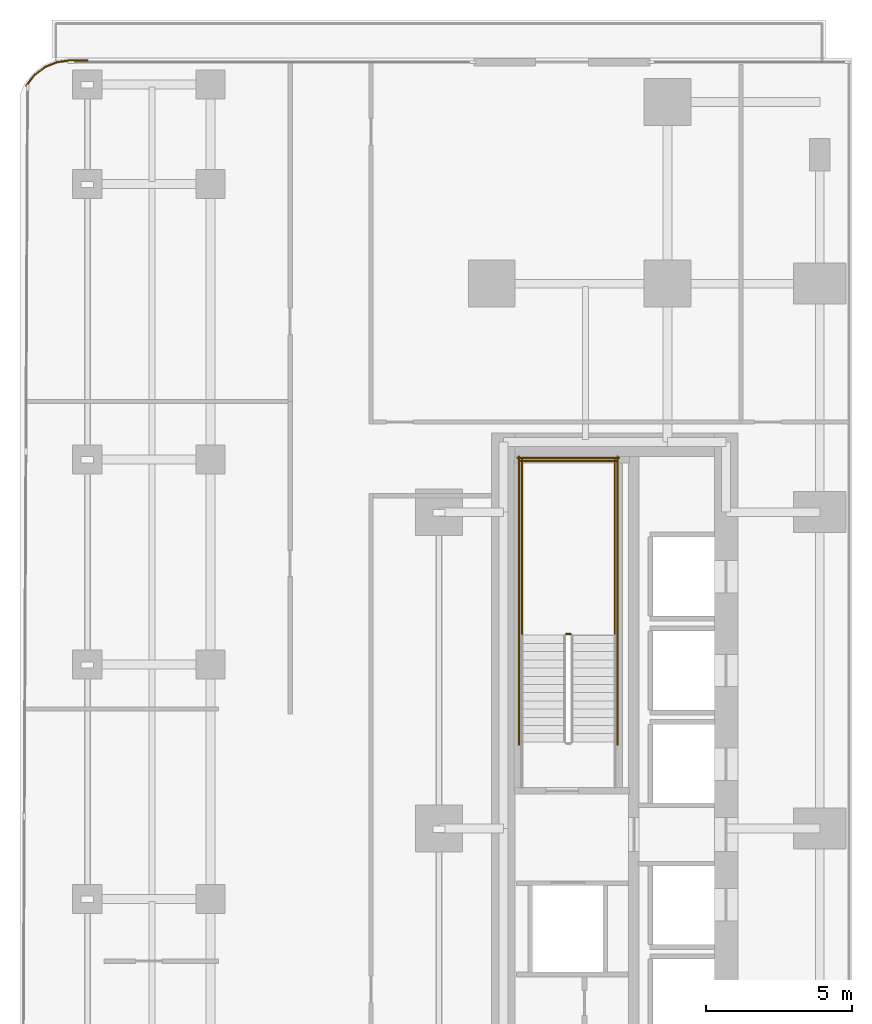
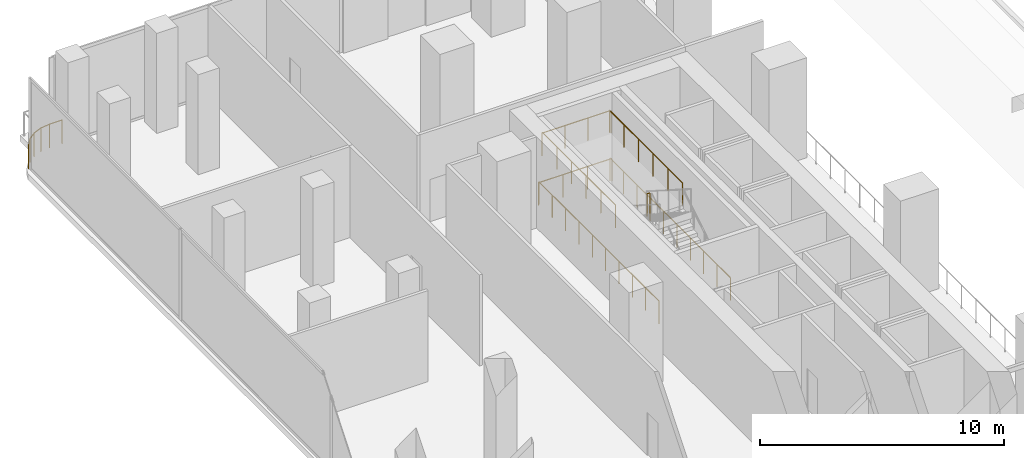
# One storey, part 29 of 32: 8 railings.
"""IFC4 building model written with IfcOpenShell, lengths in metres."""

from ifc_helpers import new_model, si_unit, direction, frame, origin, origin_2d, place, context, subcontext, project, spatial, circle, extrude, material, type_object, element, save


model = new_model("IFC4")

# Units and contexts
model_context = context("Model", 3, precision=1e-05, world=origin(), true_north=direction((0.0, 1.0)))
body_context = subcontext(model_context, "Body", "Model", "MODEL_VIEW")
ifc_project = project(units=[si_unit("LENGTHUNIT", "METRE"), si_unit("AREAUNIT", "SQUARE_METRE"), si_unit("VOLUMEUNIT", "CUBIC_METRE"), si_unit("PLANEANGLEUNIT", "RADIAN"), si_unit("MASSUNIT", "GRAM", prefix="KILO")], contexts=[model_context])

# Site, building, storey
site_placement = place(None, origin())
site = spatial("IfcSite", under=ifc_project, at=site_placement, CompositionType="ELEMENT")
building_placement = place(site_placement, origin())
building = spatial("IfcBuilding", under=site, at=building_placement, Name="Khairoan Windgate Tower", CompositionType="ELEMENT")
storey_placement = place(building_placement, frame((0.0, 0.0, 16.0)))
storey = spatial("IfcBuildingStorey", under=building, at=storey_placement, Name="L04", CompositionType="ELEMENT", Elevation=16.0)

# Railings
ifc_material_1 = material(Name="Anodised Bronze Aluminium 6063-T6", Category="aluminium")
railing_type_1 = type_object("IfcRailingType", Name="Aerodynamic Bronze-and-Glass Balustrade BAL-1200", PredefinedType="BALUSTRADE", material=ifc_material_1)
railing_1_placement = place(storey_placement, frame((-36.288818359375, 25.359619140625, 0.0)))
element("IfcRailing", 1, at=railing_1_placement, inside=storey, type_object=railing_type_1, Name="L04 WN Corner Edge Guardrail", PredefinedType="BALUSTRADE", context=body_context, shape_type="SweptSolid", body=[
    extrude(circle(Radius=0.02392578125, at=origin_2d()), frame((0.0, 0.0, 1.17578125), z_axis=(0.608579962418, 0.793492551536, 0.0), x_axis=(-0.793492551536, 0.608579962418, 0.0)), (0.0, 0.0, 1.0), 0.448974609375),
    extrude(circle(Radius=0.02392578125, at=origin_2d()), frame((0.273193359375, 0.356201171875, 1.17578125), z_axis=(0.793290991681, 0.608842674685, 0.0), x_axis=(-0.608842674685, 0.793290991681, 0.0)), (0.0, 0.0, 1.0), 0.44873046875),
    extrude(circle(Radius=0.02392578125, at=origin_2d()), frame((0.629150390625, 0.62939453125, 1.17578125), z_axis=(0.923751502528, 0.382992377962, 0.0), x_axis=(-0.382992377962, 0.923751502528, 0.0)), (0.0, 0.0, 1.0), 0.44873046875),
    extrude(circle(Radius=0.02392578125, at=origin_2d()), frame((1.043701171875, 0.80126953125, 1.17578125), z_axis=(0.99149816219, 0.130120691567, 0.0), x_axis=(-0.130120691567, 0.99149816219, 0.0)), (0.0, 0.0, 1.0), 0.4541015625),
    extrude(circle(Radius=0.02392578125, at=origin_2d()), frame((1.493896484375, 0.8603515625, 1.17578125), z_axis=(1.0, 0.0, 0.0), x_axis=(0.0, 1.0, 0.0)), (0.0, 0.0, 1.0), 0.594970703125),
    extrude(circle(Radius=0.02099609375, at=origin_2d()), origin(), (0.0, 0.0, 1.0), 1.15185546875),
    extrude(circle(Radius=0.02099609375, at=origin_2d()), frame((0.273193359375, 0.356201171875, 0.0)), (0.0, 0.0, 1.0), 1.15185546875),
    extrude(circle(Radius=0.02099609375, at=origin_2d()), frame((0.629150390625, 0.62939453125, 0.0)), (0.0, 0.0, 1.0), 1.15185546875),
    extrude(circle(Radius=0.02099609375, at=origin_2d()), frame((1.043701171875, 0.80126953125, 0.0)), (0.0, 0.0, 1.0), 1.15185546875),
    extrude(circle(Radius=0.02099609375, at=origin_2d()), frame((1.493896484375, 0.8603515625, 0.0)), (0.0, 0.0, 1.0), 1.15185546875),
    extrude(circle(Radius=0.02099609375, at=origin_2d()), frame((2.0888671875, 0.8603515625, 0.0)), (0.0, 0.0, 1.0), 1.15185546875),
])
ifc_material_2 = material(Name="Steel S355", Category="steel")
railing_type_2 = type_object("IfcRailingType", Name="Stairwell Safety Guardrail SGR-1150", PredefinedType="GUARDRAIL", material=ifc_material_2)
railing_2_placement = place(storey_placement, frame((-17.7099609375, 6.64990234375, 2.5)))
element("IfcRailing", 2, at=railing_2_placement, inside=storey, type_object=railing_type_2, Name="L04 ST2 stair guard 2", PredefinedType="GUARDRAIL", context=body_context, shape_type="SweptSolid", body=[
    extrude(circle(Radius=0.02392578125, at=origin_2d()), frame((0.0, 0.0, 1.1259765625), z_axis=(-1.0, 0.0, 0.0), x_axis=(0.0, -1.0, 0.0)), (0.0, 0.0, 1.0), 0.150146484375),
    extrude(circle(Radius=0.02099609375, at=origin_2d()), origin(), (0.0, 0.0, 1.0), 1.101806640625),
    extrude(circle(Radius=0.02099609375, at=origin_2d()), frame((-0.150146484375, 0.0, 0.0)), (0.0, 0.0, 1.0), 1.101806640625),
])
for number, where, name in (
    (3, (-16.199951171875, 6.60009765625, 2.5), "L04 ST2 stair guard 3"),
    (4, (-19.3701171875, 6.60009765625, 2.5), "L04 ST2 stair guard 4"),
):
    element("IfcRailing", number, at=place(storey_placement, frame(where)), inside=storey, type_object=railing_type_2, Name=name, PredefinedType="GUARDRAIL", context=body_context, shape_type="SweptSolid", body=[
        extrude(circle(Radius=0.02392578125, at=origin_2d()), frame((0.0, 0.0, 1.1259765625), z_axis=(0.0, 1.0, 0.0), x_axis=(-1.0, 0.0, 0.0)), (0.0, 0.0, 1.0), 6.0),
        extrude(circle(Radius=0.02099609375, at=origin_2d()), origin(), (0.0, 0.0, 1.0), 1.101806640625),
        extrude(circle(Radius=0.02099609375, at=origin_2d()), frame((0.0, 1.199951171875, 0.0)), (0.0, 0.0, 1.0), 1.101806640625),
        extrude(circle(Radius=0.02099609375, at=origin_2d()), frame((0.0, 2.39990234375, 0.0)), (0.0, 0.0, 1.0), 1.101806640625),
        extrude(circle(Radius=0.02099609375, at=origin_2d()), frame((0.0, 3.60009765625, 0.0)), (0.0, 0.0, 1.0), 1.101806640625),
        extrude(circle(Radius=0.02099609375, at=origin_2d()), frame((0.0, 4.800048828125, 0.0)), (0.0, 0.0, 1.0), 1.101806640625),
        extrude(circle(Radius=0.02099609375, at=origin_2d()), frame((0.0, 6.0, 0.0)), (0.0, 0.0, 1.0), 1.101806640625),
    ])
railing_3_placement = place(storey_placement, frame((-16.14990234375, 12.550048828125, 2.5)))
element("IfcRailing", 5, at=railing_3_placement, inside=storey, type_object=railing_type_2, Name="L04 ST2 stair guard 5", PredefinedType="GUARDRAIL", context=body_context, shape_type="SweptSolid", body=[
    extrude(circle(Radius=0.02392578125, at=origin_2d()), frame((0.0, 0.0, 1.1259765625), z_axis=(-1.0, 0.0, 0.0), x_axis=(0.0, -1.0, 0.0)), (0.0, 0.0, 1.0), 3.27001953125),
    extrude(circle(Radius=0.02099609375, at=origin_2d()), origin(), (0.0, 0.0, 1.0), 1.101806640625),
    extrude(circle(Radius=0.02099609375, at=origin_2d()), frame((-1.090087890625, 0.0, 0.0)), (0.0, 0.0, 1.0), 1.101806640625),
    extrude(circle(Radius=0.02099609375, at=origin_2d()), frame((-2.179931640625, 0.0, 0.0)), (0.0, 0.0, 1.0), 1.101806640625),
    extrude(circle(Radius=0.02099609375, at=origin_2d()), frame((-3.27001953125, 0.0, 0.0)), (0.0, 0.0, 1.0), 1.101806640625),
])
for number, where, name in (
    (6, (-16.10009765625, 2.860107421875, 0.0), "L04 ST2 stair guard 10"),
    (7, (-19.469970703125, 2.860107421875, 0.0), "L04 ST2 stair guard 11"),
):
    element("IfcRailing", number, at=place(storey_placement, frame(where)), inside=storey, type_object=railing_type_2, Name=name, PredefinedType="GUARDRAIL", context=body_context, shape_type="SweptSolid", body=[
        extrude(circle(Radius=0.02392578125, at=origin_2d()), frame((0.0, 0.0, 1.1259765625), z_axis=(0.0, 1.0, 0.0), x_axis=(-1.0, 0.0, 0.0)), (0.0, 0.0, 1.0), 9.83984375),
        extrude(circle(Radius=0.02099609375, at=origin_2d()), origin(), (0.0, 0.0, 1.0), 1.101806640625),
        extrude(circle(Radius=0.02099609375, at=origin_2d()), frame((0.0, 1.09326171875, 0.0)), (0.0, 0.0, 1.0), 1.101806640625),
        extrude(circle(Radius=0.02099609375, at=origin_2d()), frame((0.0, 2.1865234375, 0.0)), (0.0, 0.0, 1.0), 1.101806640625),
        extrude(circle(Radius=0.02099609375, at=origin_2d()), frame((0.0, 3.280029296875, 0.0)), (0.0, 0.0, 1.0), 1.101806640625),
        extrude(circle(Radius=0.02099609375, at=origin_2d()), frame((0.0, 4.373291015625, 0.0)), (0.0, 0.0, 1.0), 1.101806640625),
        extrude(circle(Radius=0.02099609375, at=origin_2d()), frame((0.0, 5.466552734375, 0.0)), (0.0, 0.0, 1.0), 1.101806640625),
        extrude(circle(Radius=0.02099609375, at=origin_2d()), frame((0.0, 6.559814453125, 0.0)), (0.0, 0.0, 1.0), 1.101806640625),
        extrude(circle(Radius=0.02099609375, at=origin_2d()), frame((0.0, 7.6533203125, 0.0)), (0.0, 0.0, 1.0), 1.101806640625),
        extrude(circle(Radius=0.02099609375, at=origin_2d()), frame((0.0, 8.74658203125, 0.0)), (0.0, 0.0, 1.0), 1.101806640625),
        extrude(circle(Radius=0.02099609375, at=origin_2d()), frame((0.0, 9.83984375, 0.0)), (0.0, 0.0, 1.0), 1.101806640625),
    ])
railing_4_placement = place(storey_placement, frame((-16.050048828125, 12.64990234375, 0.0)))
element("IfcRailing", 8, at=railing_4_placement, inside=storey, type_object=railing_type_2, Name="L04 ST2 stair guard 12", PredefinedType="GUARDRAIL", context=body_context, shape_type="SweptSolid", body=[
    extrude(circle(Radius=0.02392578125, at=origin_2d()), frame((0.0, 0.0, 1.1259765625), z_axis=(-1.0, 0.0, 0.0), x_axis=(0.0, -1.0, 0.0)), (0.0, 0.0, 1.0), 3.469970703125),
    extrude(circle(Radius=0.02099609375, at=origin_2d()), origin(), (0.0, 0.0, 1.0), 1.101806640625),
    extrude(circle(Radius=0.02099609375, at=origin_2d()), frame((-1.15673828125, 0.0, 0.0)), (0.0, 0.0, 1.0), 1.101806640625),
    extrude(circle(Radius=0.02099609375, at=origin_2d()), frame((-2.313232421875, 0.0, 0.0)), (0.0, 0.0, 1.0), 1.101806640625),
    extrude(circle(Radius=0.02099609375, at=origin_2d()), frame((-3.469970703125, 0.0, 0.0)), (0.0, 0.0, 1.0), 1.101806640625),
])

save(model, "model.ifc")
